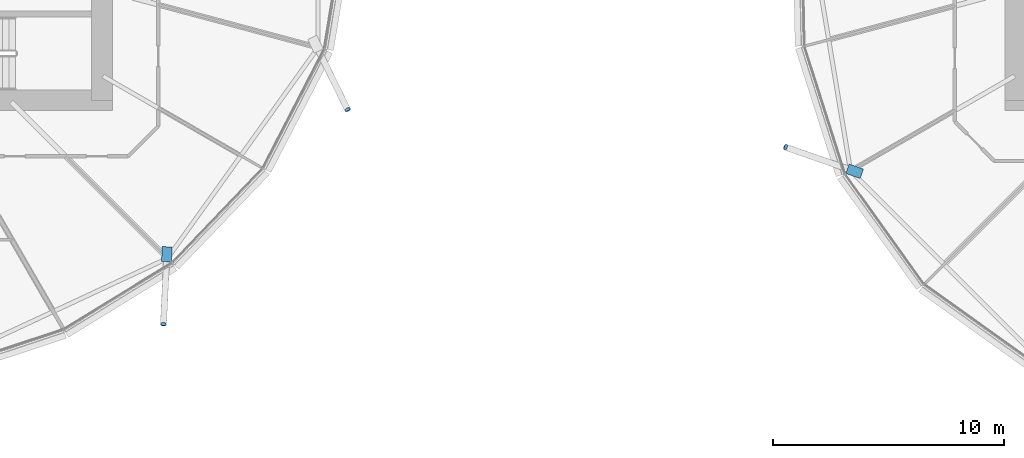
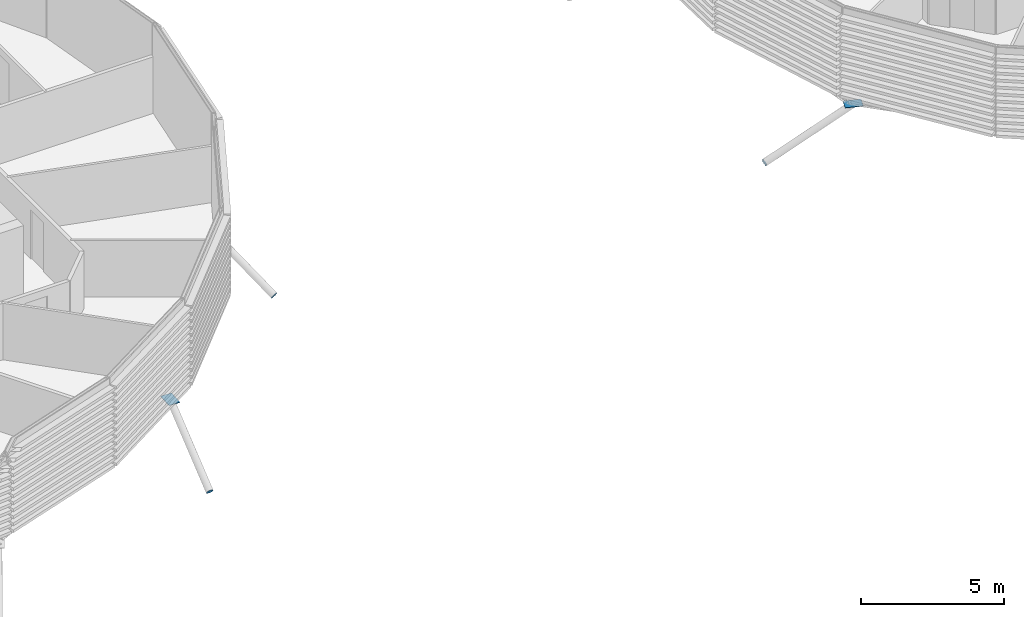
# One storey, part 28 of 38: 5 discrete accessories.
"""IFC4 building model written with IfcOpenShell, lengths in metres."""

from ifc_helpers import new_model, si_unit, direction, frame, origin, origin_2d, place, context, subcontext, project, spatial, polyline, rectangle, circle, outline, extrude, material, material_profile, profile_set, type_object, element, save


model = new_model("IFC4")

# Units and contexts
model_context = context("Model", 3, precision=1e-05, world=origin(), true_north=direction((0.0, 1.0)))
body_context = subcontext(model_context, "Body", "Model", "MODEL_VIEW")
ifc_project = project(units=[si_unit("LENGTHUNIT", "METRE"), si_unit("AREAUNIT", "SQUARE_METRE"), si_unit("VOLUMEUNIT", "CUBIC_METRE"), si_unit("PLANEANGLEUNIT", "RADIAN"), si_unit("MASSUNIT", "GRAM", prefix="KILO")], contexts=[model_context])

# Site, building, storey
site_placement = place(None, origin())
site = spatial("IfcSite", under=ifc_project, at=site_placement, CompositionType="ELEMENT")
building_placement = place(site_placement, origin())
building = spatial("IfcBuilding", under=site, at=building_placement, Name="Rimbun Link Towers", CompositionType="ELEMENT")
storey_placement = place(building_placement, frame((0.0, 0.0, 49.0)))
storey = spatial("IfcBuildingStorey", under=building, at=storey_placement, Name="L11", CompositionType="ELEMENT", Elevation=49.0)

# Discrete accessories
ifc_material_1 = material(Name="Steel S355J2H", Category="steel")
ifc_material_profile_1 = material_profile(ifc_material_1, circle(Radius=0.1240234375, at=origin_2d()), Name="PL D248")
ifc_profile_set_1 = profile_set([ifc_material_profile_1], Name="Steel S355J2H")
discrete_accessory_type_1 = type_object("IfcDiscreteAccessoryType", Name="Link foot sealing plate D248X20", PredefinedType="BRACKET", material=ifc_profile_set_1)
discrete_accessory_1_placement = place(storey_placement, frame((-17.095458984375, -17.673095703125, -2.75732421875), z_axis=(-0.03651754227, -0.827730958128, -0.559935648145), x_axis=(0.999028234938, -0.044074775071, 0.0)))
element("IfcDiscreteAccessory", 1, at=discrete_accessory_1_placement, inside=storey, type_object=discrete_accessory_type_1, Name="Link foot sealing plate T1 L11 21", PredefinedType="BRACKET", context=body_context, shape_type="SweptSolid", body=[
    extrude(circle(Radius=0.1240234375, at=origin_2d()), origin(), (0.0, 0.0, 1.0), 0.02001953125),
])
discrete_accessory_2_placement = place(storey_placement, frame((-9.138427734375, -8.3984375, -2.769287109375), z_axis=(0.370483322605, -0.753316089298, -0.543375539821), x_axis=(0.897349966121, 0.441319655469, 0.0)))
element("IfcDiscreteAccessory", 2, at=discrete_accessory_2_placement, inside=storey, type_object=discrete_accessory_type_1, Name="Link foot sealing plate T1 L11 23", PredefinedType="BRACKET", context=body_context, shape_type="SweptSolid", body=[
    extrude(circle(Radius=0.1240234375, at=origin_2d()), origin(), (0.0, 0.0, 1.0), 0.019775390625),
])
discrete_accessory_3_placement = place(storey_placement, frame((9.81201171875, -10.03076171875, -2.726806640625), z_axis=(-0.792094140499, 0.2680934014, -0.548372866499), x_axis=(-0.320596174317, -0.947215969573, 0.0)))
element("IfcDiscreteAccessory", 3, at=discrete_accessory_3_placement, inside=storey, type_object=discrete_accessory_type_1, Name="Link foot sealing plate T2 L11 11", PredefinedType="BRACKET", context=body_context, shape_type="SweptSolid", body=[
    extrude(circle(Radius=0.1240234375, at=origin_2d()), origin(), (0.0, 0.0, 1.0), 0.02001953125),
])
ifc_material_2 = material(Name="Steel S355J2H", Category="steel")
ifc_material_profile_2 = material_profile(ifc_material_2, rectangle(XDim=0.43310546875, YDim=0.43310546875, at=origin_2d()), Name="PL 433x433")
ifc_profile_set_2 = profile_set([ifc_material_profile_2], Name="Steel S355J2H")
discrete_accessory_type_2 = type_object("IfcDiscreteAccessoryType", Name="Link head end plate 433X20", PredefinedType="BRACKET", material=ifc_profile_set_2)
discrete_accessory_4_placement = place(storey_placement, frame((0.0, 0.0, -0.713134765625)))
element("IfcDiscreteAccessory", 4, at=discrete_accessory_4_placement, inside=storey, type_object=discrete_accessory_type_2, Name="Link head end plate T1 L11 21", PredefinedType="BRACKET", context=body_context, shape_type="SweptSolid", body=[
    extrude(outline(polyline([(-17.1474609375, -14.324951171875), (-17.17919921875, -14.970947265625), (-16.746826171875, -14.9921875), (-16.715087890625, -14.34619140625), (-17.1474609375, -14.324951171875)])), origin(), (0.0, 0.0, 1.0), 0.02001953125),
])
discrete_accessory_5_placement = place(storey_placement, frame((0.0, 0.0, -0.63330078125)))
element("IfcDiscreteAccessory", 5, at=discrete_accessory_5_placement, inside=storey, type_object=discrete_accessory_type_2, Name="Link head end plate T2 L11 11", PredefinedType="BRACKET", context=body_context, shape_type="SweptSolid", body=[
    extrude(outline(polyline([(13.171142578125, -10.972900390625), (12.5537109375, -10.7578125), (12.4111328125, -11.16650390625), (13.028564453125, -11.3818359375), (13.171142578125, -10.972900390625)])), origin(), (0.0, 0.0, 1.0), 0.02001953125),
])

save(model, "model.ifc")
